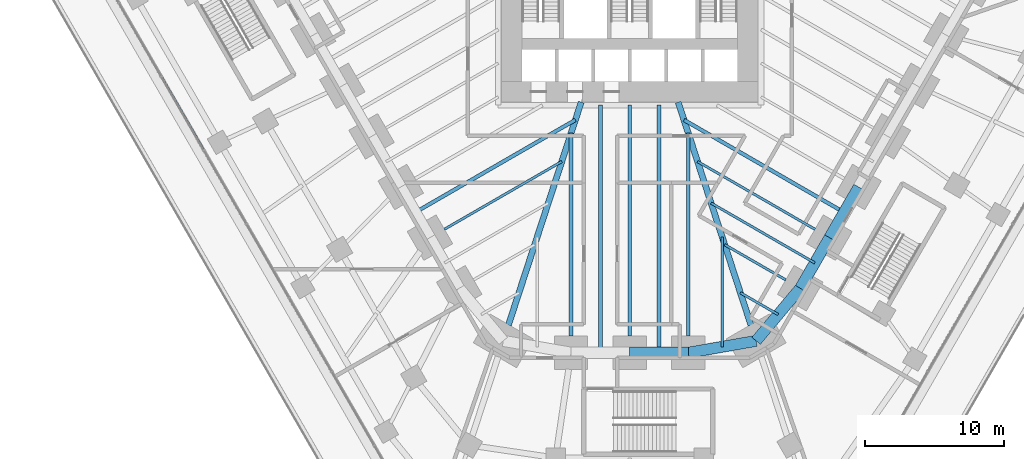
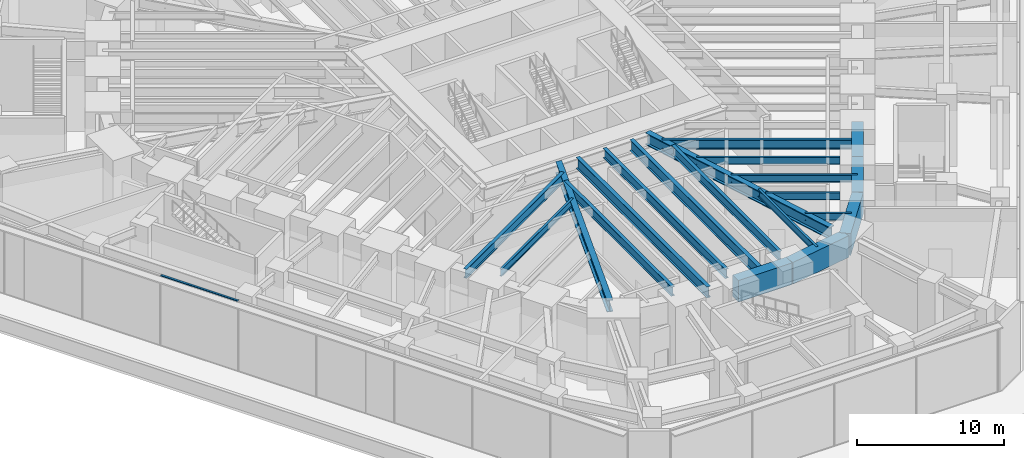
# One storey, part 4 of 25: 20 beams, 1 member, 1 element without a shape of its own.
"""IFC4 building model written with IfcOpenShell, lengths in metres."""

from ifc_helpers import new_model, si_unit, direction, frame, origin, origin_2d, place, context, subcontext, project, spatial, rectangle, i_section, extrude, material, material_profile, profile_set, type_object, element, aggregate, save


model = new_model("IFC4")

# Units and contexts
model_context = context("Model", 3, precision=1e-05, world=origin(), true_north=direction((0.0, 1.0)))
body_context = subcontext(model_context, "Body", "Model", "MODEL_VIEW")
ifc_project = project(units=[si_unit("LENGTHUNIT", "METRE"), si_unit("AREAUNIT", "SQUARE_METRE"), si_unit("VOLUMEUNIT", "CUBIC_METRE"), si_unit("PLANEANGLEUNIT", "RADIAN"), si_unit("MASSUNIT", "GRAM", prefix="KILO")], contexts=[model_context])

# Site, building, storey
site_placement = place(None, origin())
site = spatial("IfcSite", under=ifc_project, at=site_placement, CompositionType="ELEMENT")
building_placement = place(site_placement, origin())
building = spatial("IfcBuilding", under=site, at=building_placement, Name="Sandreach Pilgrim Tower", CompositionType="ELEMENT")
storey_placement = place(building_placement, frame((0.0, 0.0, 6.0)))
storey = spatial("IfcBuildingStorey", under=building, at=storey_placement, Name="L01", CompositionType="ELEMENT", Elevation=6.0)

# Curtain wall, member
ifc_material_1 = material(Name="Aluminium framed curtain wall", Category="aluminium")
curtain_wall_type = type_object("IfcCurtainWallType", Name="Podium storefront curtain wall", PredefinedType="NOTDEFINED", material=ifc_material_1)
curtain_wall_placement = place(storey_placement, origin())
curtain_wall = element("IfcCurtainWall", 1, at=curtain_wall_placement, inside=storey, type_object=curtain_wall_type, Name="CW-P L01 SW", PredefinedType="NOTDEFINED")
ifc_material_2 = material(Name="Aluminium extrusion", Category="aluminium")
ifc_material_profile_1 = material_profile(ifc_material_2, rectangle(XDim=0.159912109375, YDim=0.070068359375, at=origin_2d()), Name="CW-PT 160X70")
ifc_profile_set_1 = profile_set([ifc_material_profile_1], Name="Aluminium extrusion")
member_type = type_object("IfcMemberType", Name="CW-P transom", PredefinedType="USERDEFINED", material=ifc_profile_set_1)
member_placement = place(storey_placement, frame((-30.691650390625, -14.136962890625, 5.804931640625), z_axis=(-0.499991897794, 0.866030081544, 0.0), x_axis=(-0.866030081544, -0.499991897794, 0.0)))
member = element("IfcMember", 2, at=member_placement, type_object=member_type, Name="CW-P head transom 6", ObjectType="TRANSOM", PredefinedType="USERDEFINED", context=body_context, shape_type="SweptSolid", body=[
    extrude(rectangle(XDim=0.159912109375, YDim=0.070068359375, at=origin_2d()), origin(), (0.0, 0.0, 1.0), 6.0654296875),
])
aggregate(curtain_wall, [member])

# Beams
ifc_material_3 = material(Name="Steel ASTM A992 Grade 50", Category="steel")
ifc_material_profile_2 = material_profile(ifc_material_3, i_section(OverallWidth=0.434326171875, OverallDepth=0.998291015625, WebThickness=0.0380859375, FlangeThickness=0.068115234375, at=origin_2d()), Name="W36X487")
ifc_profile_set_2 = profile_set([ifc_material_profile_2], Name="Steel ASTM A992 Grade 50")
beam_type_1 = type_object("IfcBeamType", Name="Corner girder W36X487", PredefinedType="BEAM", material=ifc_profile_set_2)
for number, where, z_axis, x_axis, name in (
    (3, (8.73388671875, -26.756103515625, 5.3408203125), (-0.310315410754, 0.950633654911, 0.0), (-0.950633654911, -0.310315410754, 0.0), "BM L01 CG22"),
    (4, (-8.73388671875, -26.756103515625, 5.3408203125), (0.310315410754, 0.950633654911, 0.0), (-0.950633654911, 0.310315410754, 0.0), "BM L01 CG26"),
):
    element("IfcBeam", number, at=place(storey_placement, frame(where, z_axis=z_axis, x_axis=x_axis)), inside=storey, type_object=beam_type_1, Name=name, PredefinedType="BEAM", context=body_context, shape_type="SweptSolid", body=[
        extrude(i_section(OverallWidth=0.434326171875, OverallDepth=0.998291015625, WebThickness=0.0380859375, FlangeThickness=0.068115234375, at=origin_2d()), origin(), (0.0, 0.0, 1.0), 16.889892578125),
    ])
ifc_material_4 = material(Name="Steel ASTM A992 Grade 50", Category="steel")
ifc_material_profile_3 = material_profile(ifc_material_4, i_section(OverallWidth=0.1787109375, OverallDepth=0.60205078125, WebThickness=0.010986328125, FlangeThickness=0.014892578125, at=origin_2d()), Name="W24X62")
ifc_profile_set_3 = profile_set([ifc_material_profile_3], Name="Steel ASTM A992 Grade 50")
beam_type_2 = type_object("IfcBeamType", Name="Floor beam W24X62", PredefinedType="BEAM", material=ifc_profile_set_3)
beam_1_placement = place(storey_placement, frame((13.347412109375, -19.859130859375, 5.5390625), z_axis=(-0.866025751498, 0.499999397742, 0.0), x_axis=(-0.499999397742, -0.866025751498, 0.0)))
element("IfcBeam", 5, at=beam_1_placement, inside=storey, type_object=beam_type_2, Name="BM L01 F20", PredefinedType="BEAM", context=body_context, shape_type="SweptSolid", body=[
    extrude(i_section(OverallWidth=0.1787109375, OverallDepth=0.60205078125, WebThickness=0.010986328125, FlangeThickness=0.014892578125, at=origin_2d()), origin(), (0.0, 0.0, 1.0), 9.767578125),
])
beam_2_placement = place(storey_placement, frame((11.242431640625, -23.5048828125, 5.5390625), z_axis=(-0.866027897259, 0.49999568115, 0.0), x_axis=(-0.49999568115, -0.866027897259, 0.0)))
element("IfcBeam", 6, at=beam_2_placement, inside=storey, type_object=beam_type_2, Name="BM L01 F21", PredefinedType="BEAM", context=body_context, shape_type="SweptSolid", body=[
    extrude(i_section(OverallWidth=0.1787109375, OverallDepth=0.60205078125, WebThickness=0.010986328125, FlangeThickness=0.014892578125, at=origin_2d()), origin(), (0.0, 0.0, 1.0), 5.0791015625),
])
beam_3_placement = place(storey_placement, frame((-13.347412109375, -19.859130859375, 5.5390625), z_axis=(0.866025751498, 0.499999397742, 0.0), x_axis=(-0.499999397742, 0.866025751498, 0.0)))
element("IfcBeam", 7, at=beam_3_placement, inside=storey, type_object=beam_type_2, Name="BM L01 F28", PredefinedType="BEAM", context=body_context, shape_type="SweptSolid", body=[
    extrude(i_section(OverallWidth=0.1787109375, OverallDepth=0.60205078125, WebThickness=0.010986328125, FlangeThickness=0.014892578125, at=origin_2d()), origin(), (0.0, 0.0, 1.0), 9.767578125),
])
beam_4_placement = place(storey_placement, frame((13.334228515625, -22.281982421875, 5.5390625), z_axis=(-0.86602717807, 0.499996926835, 0.0), x_axis=(-0.499996926835, -0.86602717807, 0.0)))
element("IfcBeam", 8, at=beam_4_placement, inside=storey, type_object=beam_type_2, Name="BM L01 FM20", PredefinedType="BEAM", context=body_context, shape_type="SweptSolid", body=[
    extrude(i_section(OverallWidth=0.1787109375, OverallDepth=0.60205078125, WebThickness=0.010986328125, FlangeThickness=0.014892578125, at=origin_2d()), origin(), (0.0, 0.0, 1.0), 8.62353515625),
])
beam_5_placement = place(storey_placement, frame((10.694091796875, -26.0009765625, 5.5390625), z_axis=(-0.866023718453, 0.500002919068, 0.0), x_axis=(-0.500002919068, -0.866023718453, 0.0)))
element("IfcBeam", 9, at=beam_5_placement, inside=storey, type_object=beam_type_2, Name="BM L01 FM21", PredefinedType="BEAM", context=body_context, shape_type="SweptSolid", body=[
    extrude(i_section(OverallWidth=0.1787109375, OverallDepth=0.60205078125, WebThickness=0.010986328125, FlangeThickness=0.014892578125, at=origin_2d()), origin(), (0.0, 0.0, 1.0), 3.1396484375),
])
beam_6_placement = place(storey_placement, frame((6.664306640625, -28.323974609375, 5.5390625), z_axis=(0.0, 1.0, 0.0), x_axis=(-1.0, 0.0, 0.0)))
element("IfcBeam", 10, at=beam_6_placement, inside=storey, type_object=beam_type_2, Name="BM L01 FM22", PredefinedType="BEAM", context=body_context, shape_type="SweptSolid", body=[
    extrude(i_section(OverallWidth=0.1787109375, OverallDepth=0.60205078125, WebThickness=0.010986328125, FlangeThickness=0.014892578125, at=origin_2d()), origin(), (0.0, 0.0, 1.0), 7.907958984375),
])
ifc_material_5 = material(Name="Steel ASTM A992 Grade 50", Category="steel")
ifc_material_profile_4 = material_profile(ifc_material_5, i_section(OverallWidth=0.2666015625, OverallDepth=0.761962890625, WebThickness=0.014404296875, FlangeThickness=0.021484375, at=origin_2d()), Name="W30X116")
ifc_profile_set_4 = profile_set([ifc_material_profile_4], Name="Steel ASTM A992 Grade 50")
beam_type_3 = type_object("IfcBeamType", Name="Floor beam W30X116", PredefinedType="BEAM", material=ifc_profile_set_4)
for number, where, z_axis, x_axis, name in (
    (11, (4.222412109375, -27.55078125, 5.458984375), (0.0, 1.0, 0.0), (-1.0, 0.0, 0.0), "BM L01 F23"),
    (12, (-4.222412109375, -27.55078125, 5.458984375), (0.0, 1.0, 0.0), (-1.0, 0.0, 0.0), "BM L01 F25"),
):
    element("IfcBeam", number, at=place(storey_placement, frame(where, z_axis=z_axis, x_axis=x_axis)), inside=storey, type_object=beam_type_3, Name=name, PredefinedType="BEAM", context=body_context, shape_type="SweptSolid", body=[
        extrude(i_section(OverallWidth=0.2666015625, OverallDepth=0.761962890625, WebThickness=0.014404296875, FlangeThickness=0.021484375, at=origin_2d()), origin(), (0.0, 0.0, 1.0), 14.61572265625),
    ])
for number, where, z_axis, x_axis, name in (
    (13, (15.43896484375, -18.63623046875, 5.458984375), (-0.866021271874, 0.50000715661, 0.0), (-0.50000715661, -0.866021271874, 0.0), "BM L01 FM19"),
    (14, (-15.43896484375, -18.63623046875, 5.458984375), (0.866021271874, 0.50000715661, 0.0), (-0.50000715661, 0.866021271874, 0.0), "BM L01 FM28"),
):
    element("IfcBeam", number, at=place(storey_placement, frame(where, z_axis=z_axis, x_axis=x_axis)), inside=storey, type_object=beam_type_3, Name=name, PredefinedType="BEAM", context=body_context, shape_type="SweptSolid", body=[
        extrude(i_section(OverallWidth=0.2666015625, OverallDepth=0.761962890625, WebThickness=0.014404296875, FlangeThickness=0.021484375, at=origin_2d()), origin(), (0.0, 0.0, 1.0), 13.311767578125),
    ])
ifc_material_6 = material(Name="Steel ASTM A992 Grade 50", Category="steel")
ifc_material_profile_5 = material_profile(ifc_material_6, i_section(OverallWidth=0.2666015625, OverallDepth=0.77978515625, WebThickness=0.0166015625, FlangeThickness=0.030029296875, at=origin_2d()), Name="W30X148")
ifc_profile_set_5 = profile_set([ifc_material_profile_5], Name="Steel ASTM A992 Grade 50")
beam_type_4 = type_object("IfcBeamType", Name="Floor beam W30X148", PredefinedType="BEAM", material=ifc_profile_set_5)
beam_7_placement = place(storey_placement, frame((0.0, -27.55078125, 5.4501953125), z_axis=(0.0, 1.0, 0.0), x_axis=(-1.0, 0.0, 0.0)))
element("IfcBeam", 15, at=beam_7_placement, inside=storey, type_object=beam_type_4, Name="BM L01 F24", PredefinedType="BEAM", context=body_context, shape_type="SweptSolid", body=[
    extrude(i_section(OverallWidth=0.2666015625, OverallDepth=0.77978515625, WebThickness=0.0166015625, FlangeThickness=0.030029296875, at=origin_2d()), origin(), (0.0, 0.0, 1.0), 16.628662109375),
])
ifc_material_7 = material(Name="Steel ASTM A992 Grade 50", Category="steel")
ifc_material_profile_6 = material_profile(ifc_material_7, i_section(OverallWidth=0.3046875, OverallDepth=0.914306640625, WebThickness=0.0166015625, FlangeThickness=0.02587890625, at=origin_2d()), Name="W36X160")
ifc_profile_set_6 = profile_set([ifc_material_profile_6], Name="Steel ASTM A992 Grade 50")
beam_type_5 = type_object("IfcBeamType", Name="Floor beam W36X160", PredefinedType="BEAM", material=ifc_profile_set_6)
for number, where, z_axis, x_axis, name in (
    (16, (2.111083984375, -28.7509765625, 5.3828125), (0.0, 1.0, 0.0), (-1.0, 0.0, 0.0), "BM L01 FM23"),
    (17, (-2.111083984375, -28.7509765625, 5.3828125), (0.0, 1.0, 0.0), (-1.0, 0.0, 0.0), "BM L01 FM24"),
):
    element("IfcBeam", number, at=place(storey_placement, frame(where, z_axis=z_axis, x_axis=x_axis)), inside=storey, type_object=beam_type_5, Name=name, PredefinedType="BEAM", context=body_context, shape_type="SweptSolid", body=[
        extrude(i_section(OverallWidth=0.3046875, OverallDepth=0.914306640625, WebThickness=0.0166015625, FlangeThickness=0.02587890625, at=origin_2d()), origin(), (0.0, 0.0, 1.0), 17.828857421875),
    ])
ifc_material_8 = material(Name="Concrete 10000 psi", Category="concrete")
ifc_material_profile_7 = material_profile(ifc_material_8, rectangle(XDim=0.800048828125, YDim=1.800048828125, at=origin_2d()), Name="RC800X1800")
ifc_profile_set_7 = profile_set([ifc_material_profile_7], Name="Concrete 10000 psi")
beam_type_6 = type_object("IfcBeamType", Name="Spandrel beam RC800X1800", PredefinedType="SPANDREL", material=ifc_profile_set_7)
beam_8_placement = place(storey_placement, frame((16.491455078125, -16.813232421875, 4.93994140625), z_axis=(-0.499975138639, -0.866039757022, 0.0), x_axis=(0.866039757022, -0.499975138639, 0.0)))
element("IfcBeam", 18, at=beam_8_placement, inside=storey, type_object=beam_type_6, Name="BM L01 SP19", PredefinedType="SPANDREL", context=body_context, shape_type="SweptSolid", body=[
    extrude(rectangle(XDim=0.800048828125, YDim=1.800048828125, at=origin_2d()), origin(), (0.0, 0.0, 1.0), 4.209716796875),
])
beam_9_placement = place(storey_placement, frame((14.38671875, -20.458984375, 4.93994140625), z_axis=(-0.499993523031, -0.866029143232, 0.0), x_axis=(0.866029143232, -0.499993523031, 0.0)))
element("IfcBeam", 19, at=beam_9_placement, inside=storey, type_object=beam_type_6, Name="BM L01 SP20", PredefinedType="SPANDREL", context=body_context, shape_type="SweptSolid", body=[
    extrude(rectangle(XDim=0.800048828125, YDim=1.800048828125, at=origin_2d()), origin(), (0.0, 0.0, 1.0), 4.2099609375),
])
beam_10_placement = place(storey_placement, frame((12.28173828125, -24.10498046875, 4.93994140625), z_axis=(-0.642008193922, -0.766697775488, 0.0), x_axis=(0.766697775488, -0.642008193922, 0.0)))
element("IfcBeam", 20, at=beam_10_placement, inside=storey, type_object=beam_type_6, Name="BM L01 SP21", PredefinedType="SPANDREL", context=body_context, shape_type="SweptSolid", body=[
    extrude(rectangle(XDim=0.800048828125, YDim=1.800048828125, at=origin_2d()), origin(), (0.0, 0.0, 1.0), 4.94580078125),
])
beam_11_placement = place(storey_placement, frame((9.1064453125, -27.89697265625, 4.93994140625), z_axis=(-0.985054495501, -0.17224297052, 0.0), x_axis=(0.17224297052, -0.985054495501, 0.0)))
element("IfcBeam", 21, at=beam_11_placement, inside=storey, type_object=beam_type_6, Name="BM L01 SP22", PredefinedType="SPANDREL", context=body_context, shape_type="SweptSolid", body=[
    extrude(rectangle(XDim=0.800048828125, YDim=1.800048828125, at=origin_2d()), origin(), (0.0, 0.0, 1.0), 4.958251953125),
])
beam_12_placement = place(storey_placement, frame((4.222412109375, -28.7509765625, 4.93994140625), z_axis=(-1.0, 0.0, 0.0), x_axis=(0.0, -1.0, 0.0)))
element("IfcBeam", 22, at=beam_12_placement, inside=storey, type_object=beam_type_6, Name="BM L01 SP23", PredefinedType="SPANDREL", context=body_context, shape_type="SweptSolid", body=[
    extrude(rectangle(XDim=0.800048828125, YDim=1.800048828125, at=origin_2d()), origin(), (0.0, 0.0, 1.0), 4.222412109375),
])

save(model, "model.ifc")
